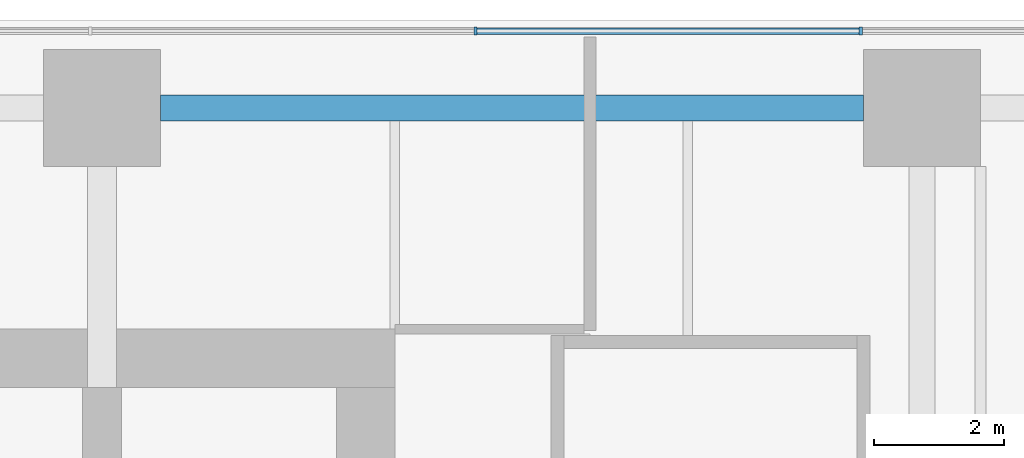
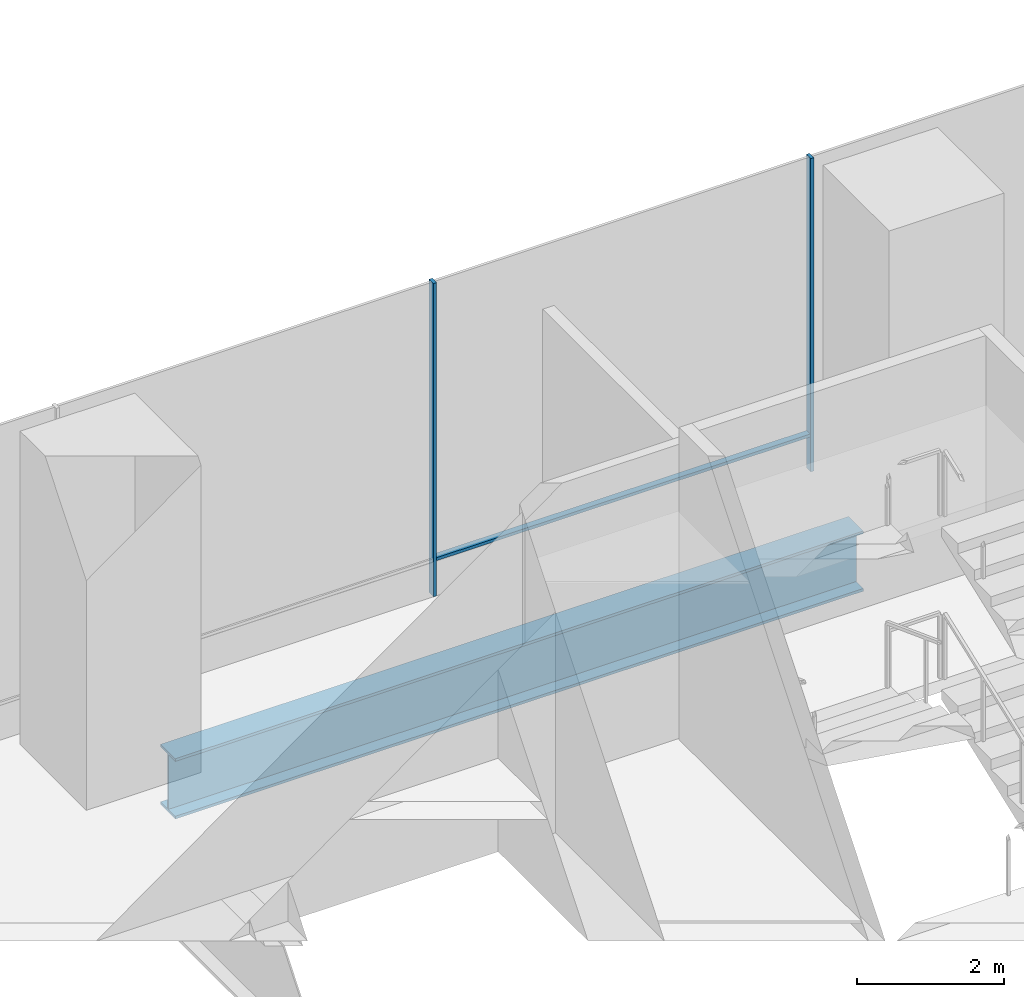
# One storey, part 14 of 26: 3 members, 1 beam, 1 element without a shape of its own.
"""IFC4 building model written with IfcOpenShell, lengths in metres."""

from ifc_helpers import new_model, si_unit, direction, frame, origin, origin_2d, place, context, subcontext, project, spatial, rectangle, i_section, extrude, material, layer, layer_set, material_profile, profile_set, type_object, element, aggregate, save


model = new_model("IFC4")

# Units and contexts
model_context = context("Model", 3, precision=1e-05, world=origin(), true_north=direction((0.0, 1.0)))
body_context = subcontext(model_context, "Body", "Model", "MODEL_VIEW")
ifc_project = project(units=[si_unit("LENGTHUNIT", "METRE"), si_unit("AREAUNIT", "SQUARE_METRE"), si_unit("VOLUMEUNIT", "CUBIC_METRE"), si_unit("PLANEANGLEUNIT", "RADIAN"), si_unit("MASSUNIT", "GRAM", prefix="KILO")], contexts=[model_context])

# Site, building, storey
site_placement = place(None, origin())
site = spatial("IfcSite", under=ifc_project, at=site_placement, CompositionType="ELEMENT")
building_placement = place(site_placement, origin())
building = spatial("IfcBuilding", under=site, at=building_placement, Name="Rattan Terrace Tower", CompositionType="ELEMENT")
storey_placement = place(building_placement, frame((0.0, 0.0, 7.199951171875)))
storey = spatial("IfcBuildingStorey", under=building, at=storey_placement, Name="L01", CompositionType="ELEMENT", Elevation=7.199951171875)

# Beam
ifc_material_1 = material(Name="Steel S460", Category="steel")
ifc_material_profile_1 = material_profile(ifc_material_1, i_section(OverallWidth=0.39990234375, OverallDepth=1.0, WebThickness=0.01806640625, FlangeThickness=0.044921875, at=origin_2d()), Name="PG 1000x400-18-45")
ifc_profile_set_1 = profile_set([ifc_material_profile_1], Name="Steel S460")
beam_type = type_object("IfcBeamType", Name="Frame podium girder PG 1000x400-18-45", PredefinedType="USERDEFINED", material=ifc_profile_set_1)
beam_placement = place(storey_placement, frame((14.39990234375, 10.89990234375, -0.699951171875), z_axis=(1.0, 0.0, 0.0), x_axis=(0.0, 1.0, 0.0)))
element("IfcBeam", 1, at=beam_placement, inside=storey, type_object=beam_type, Name="gdr-L01-050", ObjectType="PODIUM GIRDER", PredefinedType="USERDEFINED", context=body_context, shape_type="SweptSolid", body=[
    extrude(i_section(OverallWidth=0.39990234375, OverallDepth=1.0, WebThickness=0.01806640625, FlangeThickness=0.044921875, at=origin_2d()), origin(), (0.0, 0.0, 1.0), 10.800048828125),
])

# Curtain wall, members
ifc_material_2 = material(Name="Aluminium and glass", Category="aluminium")
ifc_layer = layer(ifc_material_2, 0.1201171875)
ifc_layer_set = layer_set([ifc_layer], Name="Station Storefront Curtain Wall")
curtain_wall_type = type_object("IfcCurtainWallType", Name="Station Storefront Curtain Wall", PredefinedType="NOTDEFINED", material=ifc_layer_set)
curtain_wall_placement = place(storey_placement, origin())
curtain_wall = element("IfcCurtainWall", 2, at=curtain_wall_placement, inside=storey, type_object=curtain_wall_type, Name="Storefront curtain wall L01-2", PredefinedType="NOTDEFINED")
ifc_material_3 = material(Name="Aluminium", Category="aluminium")
ifc_material_profile_2 = material_profile(ifc_material_3, rectangle(XDim=0.050048828125, YDim=0.1201171875, at=origin_2d()), Name="Aluminium 50x120")
ifc_profile_set_2 = profile_set([ifc_material_profile_2], Name="Aluminium")
member_type_1 = type_object("IfcMemberType", Name="Storefront CW Mullion 50x120", PredefinedType="MULLION", material=ifc_profile_set_2)
member_1_placement = place(storey_placement, frame((25.159912109375, 12.080078125, 0.0), z_axis=(0.0, 0.0, 1.0), x_axis=(-1.0, 0.0, 0.0)))
member_1 = element("IfcMember", 3, at=member_1_placement, type_object=member_type_1, Name="Mullion cwl-L01-002.3", PredefinedType="MULLION", context=body_context, shape_type="SweptSolid", body=[
    extrude(rectangle(XDim=0.050048828125, YDim=0.1201171875, at=origin_2d()), origin(), (0.0, 0.0, 1.0), 5.199951171875),
])
member_2_placement = place(storey_placement, frame((19.239990234375, 12.080078125, 0.0), z_axis=(0.0, 0.0, 1.0), x_axis=(-1.0, 0.0, 0.0)))
member_2 = element("IfcMember", 4, at=member_2_placement, type_object=member_type_1, Name="Mullion cwl-L01-002.4", PredefinedType="MULLION", context=body_context, shape_type="SweptSolid", body=[
    extrude(rectangle(XDim=0.050048828125, YDim=0.1201171875, at=origin_2d()), origin(), (0.0, 0.0, 1.0), 5.199951171875),
])
ifc_material_4 = material(Name="Aluminium", Category="aluminium")
ifc_material_profile_3 = material_profile(ifc_material_4, rectangle(XDim=0.10009765625, YDim=0.050048828125, at=origin_2d()), Name="Aluminium 100x50")
ifc_profile_set_3 = profile_set([ifc_material_profile_3], Name="Aluminium")
member_type_2 = type_object("IfcMemberType", Name="Storefront CW Transom 100x50", PredefinedType="USERDEFINED", material=ifc_profile_set_3)
member_3_placement = place(storey_placement, frame((25.135009765625, 12.080078125, 0.60009765625), z_axis=(-1.0, 0.0, 0.0), x_axis=(0.0, -1.0, 0.0)))
member_3 = element("IfcMember", 5, at=member_3_placement, type_object=member_type_2, Name="Transom cwl-L01-002.3", ObjectType="TRANSOM", PredefinedType="USERDEFINED", context=body_context, shape_type="SweptSolid", body=[
    extrude(rectangle(XDim=0.10009765625, YDim=0.050048828125, at=origin_2d()), origin(), (0.0, 0.0, 1.0), 5.8701171875),
])
aggregate(curtain_wall, [member_1, member_2, member_3])

save(model, "model.ifc")
